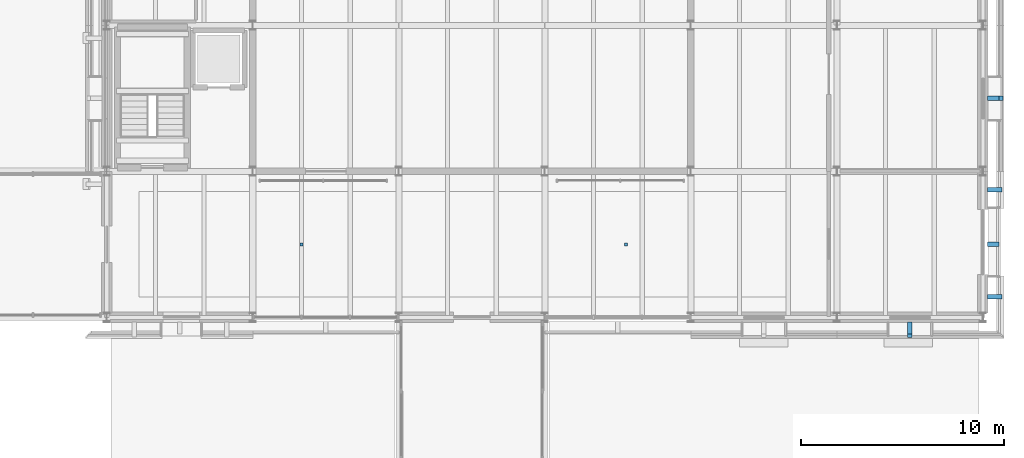
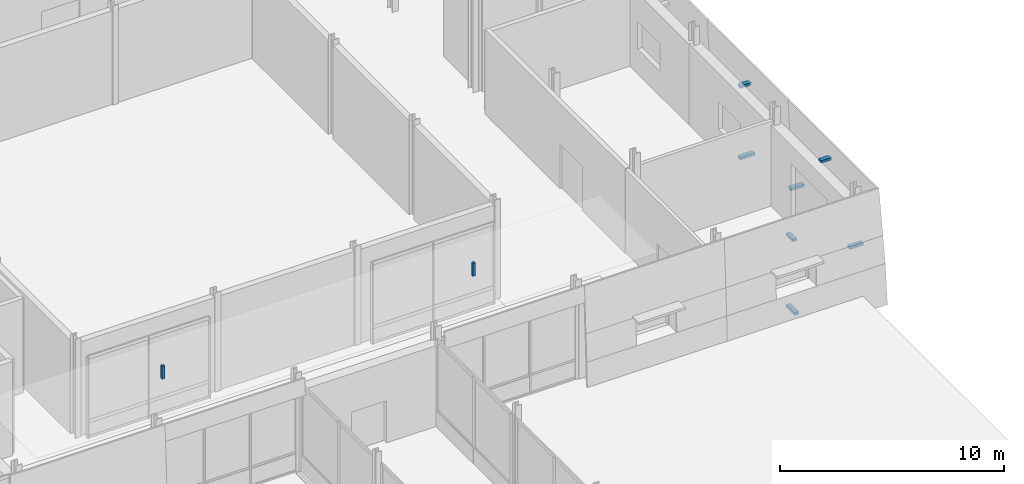
# One storey, part 96 of 120: 9 discrete accessories.
"""IFC4 building model written with IfcOpenShell, lengths in metres."""

from ifc_helpers import new_model, si_unit, direction, frame, origin, origin_2d, place, context, subcontext, project, spatial, rectangle, extrude, material, layer, layer_set, type_object, element, save


model = new_model("IFC4")

# Units and contexts
model_context = context("Model", 3, precision=1e-05, world=origin(), true_north=direction((0.0, 1.0)))
body_context = subcontext(model_context, "Body", "Model", "MODEL_VIEW")
ifc_project = project(units=[si_unit("LENGTHUNIT", "METRE"), si_unit("AREAUNIT", "SQUARE_METRE"), si_unit("VOLUMEUNIT", "CUBIC_METRE"), si_unit("PLANEANGLEUNIT", "RADIAN"), si_unit("MASSUNIT", "GRAM", prefix="KILO")], contexts=[model_context])

# Site, building, storey
site_placement = place(None, origin())
site = spatial("IfcSite", under=ifc_project, at=site_placement, CompositionType="ELEMENT")
building_placement = place(site_placement, origin())
building = spatial("IfcBuilding", under=site, at=building_placement, Name="Narikvali Park Central Library", CompositionType="ELEMENT")
storey_placement = place(building_placement, origin())
storey = spatial("IfcBuildingStorey", under=building, at=storey_placement, Name="L00", CompositionType="ELEMENT", Elevation=0.0)

# Discrete accessories
ifc_material_1 = material(Name="Brushed Stainless Steel S355", Category="steel")
ifc_layer_1 = layer(ifc_material_1, 0.139892578125, Name="Brushed Stainless Steel S355")
ifc_layer_set_1 = layer_set([ifc_layer_1], Name="Brushed Stainless Steel S355")
discrete_accessory_type_1 = type_object("IfcDiscreteAccessoryType", Name="Cladding Stainless Tie-Back Corbel Bracket", PredefinedType="BRACKET", material=ifc_layer_set_1)
discrete_accessory_1_placement = place(storey_placement, frame((162.0, 78.592529296875, 0.1650390625), z_axis=(0.0, 0.0, 1.0), x_axis=(1.0, 0.0, 0.0)))
element("IfcDiscreteAccessory", 1, at=discrete_accessory_1_placement, inside=storey, type_object=discrete_accessory_type_1, Name="Limestone Cladding Tie-Back Bracket V3-CLD-L00-S-B06-SP", PredefinedType="BRACKET", context=body_context, shape_type="SweptSolid", body=[
    extrude(rectangle(XDim=0.219970703125, YDim=0.7548828125, at=origin_2d()), origin(), (0.0, 0.0, 1.0), 0.139892578125),
])
discrete_accessory_2_placement = place(storey_placement, frame((162.0, 78.6826171875, 4.05517578125), z_axis=(0.0, 0.0, 1.0), x_axis=(1.0, 0.0, 0.0)))
element("IfcDiscreteAccessory", 2, at=discrete_accessory_2_placement, inside=storey, type_object=discrete_accessory_type_1, Name="Limestone Cladding Tie-Back Bracket V3-CLD-L00-S-B06-LN", PredefinedType="BRACKET", context=body_context, shape_type="SweptSolid", body=[
    extrude(rectangle(XDim=0.219970703125, YDim=0.5751953125, at=origin_2d()), origin(), (0.0, 0.0, 1.0), 0.139892578125),
])
for number, where, z_axis, x_axis, name in (
    (3, (166.18017578125, 80.227294921875, 1.2099609375), (0.0, 0.0, 1.0), (1.0, 0.0, 0.0), "Limestone Cladding Tie-Back Bracket V3-CLD-L00-E-B01-DL"),
    (4, (166.18017578125, 85.4873046875, 1.2099609375), (0.0, 0.0, 1.0), (1.0, 0.0, 0.0), "Limestone Cladding Tie-Back Bracket V3-CLD-L00-E-B01-DR"),
):
    element("IfcDiscreteAccessory", number, at=place(storey_placement, frame(where, z_axis=z_axis, x_axis=x_axis)), inside=storey, type_object=discrete_accessory_type_1, Name=name, PredefinedType="BRACKET", context=body_context, shape_type="SweptSolid", body=[
        extrude(rectangle(XDim=0.700439453125, YDim=0.219970703125, at=origin_2d()), origin(), (0.0, 0.0, 1.0), 0.139892578125),
    ])
discrete_accessory_3_placement = place(storey_placement, frame((166.10986328125, 82.800048828125, 4.35009765625), z_axis=(0.0, 0.0, 1.0), x_axis=(1.0, 0.0, 0.0)))
element("IfcDiscreteAccessory", 5, at=discrete_accessory_3_placement, inside=storey, type_object=discrete_accessory_type_1, Name="Limestone Cladding Tie-Back Bracket V3-CLD-L00-E-B01-DH", PredefinedType="BRACKET", context=body_context, shape_type="SweptSolid", body=[
    extrude(rectangle(XDim=0.5595703125, YDim=0.219970703125, at=origin_2d()), origin(), (0.0, 0.0, 1.0), 0.139892578125),
])
discrete_accessory_4_placement = place(storey_placement, frame((166.20751953125, 90.0, 0.1650390625), z_axis=(0.0, 0.0, 1.0), x_axis=(1.0, 0.0, 0.0)))
element("IfcDiscreteAccessory", 6, at=discrete_accessory_4_placement, inside=storey, type_object=discrete_accessory_type_1, Name="Limestone Cladding Tie-Back Bracket V3-CLD-L00-E-B02-SP", PredefinedType="BRACKET", context=body_context, shape_type="SweptSolid", body=[
    extrude(rectangle(XDim=0.7548828125, YDim=0.219970703125, at=origin_2d()), origin(), (0.0, 0.0, 1.0), 0.139892578125),
])
discrete_accessory_5_placement = place(storey_placement, frame((166.117431640625, 90.0, 4.05517578125), z_axis=(0.0, 0.0, 1.0), x_axis=(1.0, 0.0, 0.0)))
element("IfcDiscreteAccessory", 7, at=discrete_accessory_5_placement, inside=storey, type_object=discrete_accessory_type_1, Name="Limestone Cladding Tie-Back Bracket V3-CLD-L00-E-B02-LN", PredefinedType="BRACKET", context=body_context, shape_type="SweptSolid", body=[
    extrude(rectangle(XDim=0.5751953125, YDim=0.219970703125, at=origin_2d()), origin(), (0.0, 0.0, 1.0), 0.139892578125),
])
ifc_material_2 = material(Name="Galvanised Steel S355", Category="steel")
ifc_layer_2 = layer(ifc_material_2, 0.7099609375, Name="Galvanised Steel S355")
ifc_layer_set_2 = layer_set([ifc_layer_2], Name="Galvanised Steel S355")
discrete_accessory_type_2 = type_object("IfcDiscreteAccessoryType", Name="Suspended Ceiling Hanger Rod Assembly", PredefinedType="BRACKET", material=ifc_layer_set_2)
for number, where, z_axis, x_axis, name in (
    (8, (132.0, 82.800048828125, 4.429931640625), (0.0, 0.0, 1.0), (1.0, 0.0, 0.0), "V3 L00 Ceiling Suspension Hanger 04-1"),
    (9, (148.0, 82.800048828125, 4.429931640625), (0.0, 0.0, 1.0), (1.0, 0.0, 0.0), "V3 L00 Ceiling Suspension Hanger 04-2"),
):
    element("IfcDiscreteAccessory", number, at=place(storey_placement, frame(where, z_axis=z_axis, x_axis=x_axis)), inside=storey, type_object=discrete_accessory_type_2, Name=name, PredefinedType="BRACKET", context=body_context, shape_type="SweptSolid", body=[
        extrude(rectangle(XDim=0.139892578125, YDim=0.139892578125, at=origin_2d()), origin(), (0.0, 0.0, 1.0), 0.7099609375),
    ])

save(model, "model.ifc")
